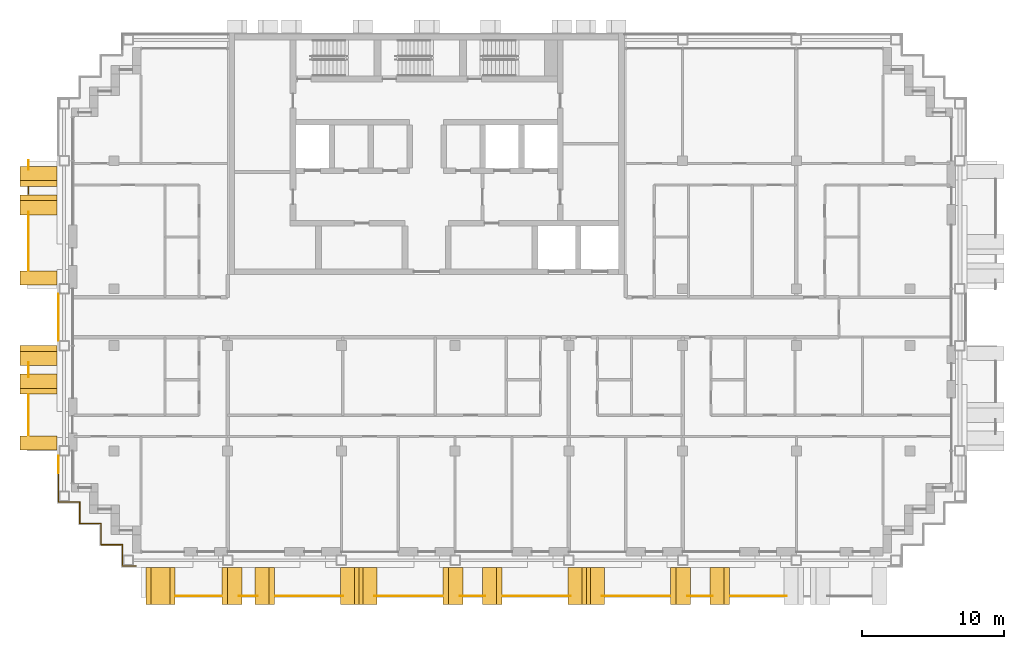
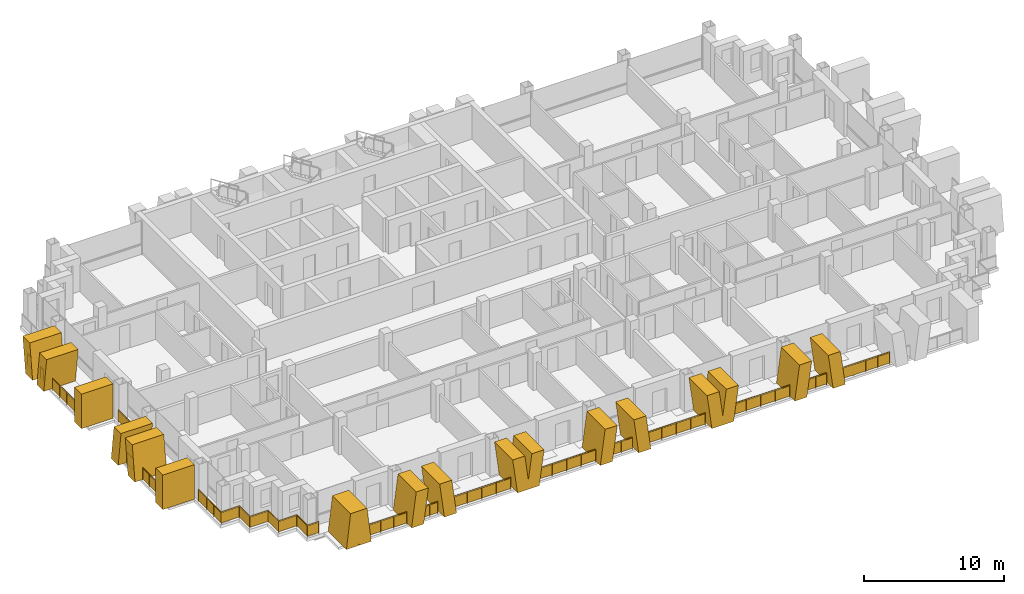
# One storey, part 13 of 16: 17 railings, 15 shading devices.
"""IFC4 building model written with IfcOpenShell, lengths in metres."""

from ifc_helpers import new_model, si_unit, direction, frame, origin, origin_2d, place, context, subcontext, project, spatial, polyline, rectangle, circle, outline, extrude, material, layer, layer_set, type_object, element, save


model = new_model("IFC4")

# Units and contexts
model_context = context("Model", 3, precision=1e-05, world=origin(), true_north=direction((0.0, 1.0)))
body_context = subcontext(model_context, "Body", "Model", "MODEL_VIEW")
ifc_project = project(units=[si_unit("LENGTHUNIT", "METRE"), si_unit("AREAUNIT", "SQUARE_METRE"), si_unit("VOLUMEUNIT", "CUBIC_METRE"), si_unit("PLANEANGLEUNIT", "RADIAN"), si_unit("MASSUNIT", "GRAM", prefix="KILO")], contexts=[model_context])

# Site, building, storey
site_placement = place(None, origin())
site = spatial("IfcSite", under=ifc_project, at=site_placement, CompositionType="ELEMENT")
building_placement = place(site_placement, origin())
building = spatial("IfcBuilding", under=site, at=building_placement, Name="Vidyagriha Tower", CompositionType="ELEMENT")
storey_placement = place(building_placement, frame((0.0, 0.0, 184.5)))
storey = spatial("IfcBuildingStorey", under=building, at=storey_placement, Name="L48", CompositionType="ELEMENT", Elevation=184.5)

# Railings
ifc_material_1 = material(Name="Steel ASTM A500 Grade C black painted", Category="steel")
railing_type_1 = type_object("IfcRailingType", Name="Balcony guard 1100", PredefinedType="BALUSTRADE", material=ifc_material_1)
railing_1_placement = place(storey_placement, frame((-28.0, 11.0, 0.0)))
element("IfcRailing", 1, at=railing_1_placement, inside=storey, type_object=railing_type_1, Name="Balcony guard L48 R16.1-1", PredefinedType="BALUSTRADE", context=body_context, shape_type="SweptSolid", body=[
    extrude(circle(Radius=0.02490234375, at=origin_2d()), frame((0.0, 0.0, 1.0751953125), z_axis=(0.0, -1.0, 0.0), x_axis=(1.0, 0.0, 0.0)), (0.0, 0.0, 1.0), 0.5966796875),
    extrude(circle(Radius=0.02001953125, at=origin_2d()), origin(), (0.0, 0.0, 1.0), 1.050048828125),
    extrude(circle(Radius=0.02001953125, at=origin_2d()), frame((0.0, -0.5966796875, 0.0)), (0.0, 0.0, 1.0), 1.050048828125),
    extrude(rectangle(XDim=0.010009765625, YDim=0.900146484375, at=origin_2d()), frame((0.0, 0.0, 0.550048828125), z_axis=(0.0, -1.0, 0.0), x_axis=(1.0, 0.0, 0.0)), (0.0, 0.0, 1.0), 0.5966796875),
])
railing_2_placement = place(storey_placement, frame((-28.0, 9.14990234375, 0.0)))
element("IfcRailing", 2, at=railing_2_placement, inside=storey, type_object=railing_type_1, Name="Balcony guard L48 R16.1-2", PredefinedType="BALUSTRADE", context=body_context, shape_type="SweptSolid", body=[
    extrude(circle(Radius=0.02490234375, at=origin_2d()), frame((0.0, 0.0, 1.0751953125), z_axis=(0.0, -1.0, 0.0), x_axis=(1.0, 0.0, 0.0)), (0.0, 0.0, 1.0), 0.5),
    extrude(circle(Radius=0.02001953125, at=origin_2d()), origin(), (0.0, 0.0, 1.0), 1.050048828125),
    extrude(circle(Radius=0.02001953125, at=origin_2d()), frame((0.0, -0.5, 0.0)), (0.0, 0.0, 1.0), 1.050048828125),
    extrude(rectangle(XDim=0.010009765625, YDim=0.900146484375, at=origin_2d()), frame((0.0, 0.0, 0.550048828125), z_axis=(0.0, -1.0, 0.0), x_axis=(1.0, 0.0, 0.0)), (0.0, 0.0, 1.0), 0.5),
])
railing_3_placement = place(storey_placement, frame((-28.0, 7.396728515625, 0.0)))
element("IfcRailing", 3, at=railing_3_placement, inside=storey, type_object=railing_type_1, Name="Balcony guard L48 R16.1-3", PredefinedType="BALUSTRADE", context=body_context, shape_type="SweptSolid", body=[
    extrude(circle(Radius=0.02490234375, at=origin_2d()), frame((0.0, 0.0, 1.0751953125), z_axis=(0.0, -1.0, 0.0), x_axis=(1.0, 0.0, 0.0)), (0.0, 0.0, 1.0), 4.0966796875),
    extrude(circle(Radius=0.02001953125, at=origin_2d()), origin(), (0.0, 0.0, 1.0), 1.050048828125),
    extrude(circle(Radius=0.02001953125, at=origin_2d()), frame((0.0, -1.024169921875, 0.0)), (0.0, 0.0, 1.0), 1.050048828125),
    extrude(circle(Radius=0.02001953125, at=origin_2d()), frame((0.0, -2.04833984375, 0.0)), (0.0, 0.0, 1.0), 1.050048828125),
    extrude(circle(Radius=0.02001953125, at=origin_2d()), frame((0.0, -3.072509765625, 0.0)), (0.0, 0.0, 1.0), 1.050048828125),
    extrude(circle(Radius=0.02001953125, at=origin_2d()), frame((0.0, -4.0966796875, 0.0)), (0.0, 0.0, 1.0), 1.050048828125),
    extrude(rectangle(XDim=0.010009765625, YDim=0.900146484375, at=origin_2d()), frame((0.0, 0.0, 0.550048828125), z_axis=(0.0, -1.0, 0.0), x_axis=(1.0, 0.0, 0.0)), (0.0, 0.0, 1.0), 4.0966796875),
])
railing_4_placement = place(storey_placement, frame((-28.0, -3.203369140625, 0.0)))
element("IfcRailing", 4, at=railing_4_placement, inside=storey, type_object=railing_type_1, Name="Balcony guard L48 R16.2-1", PredefinedType="BALUSTRADE", context=body_context, shape_type="SweptSolid", body=[
    extrude(circle(Radius=0.02490234375, at=origin_2d()), frame((0.0, 0.0, 1.0751953125), z_axis=(0.0, -1.0, 0.0), x_axis=(1.0, 0.0, 0.0)), (0.0, 0.0, 1.0), 0.993408203125),
    extrude(circle(Radius=0.02001953125, at=origin_2d()), origin(), (0.0, 0.0, 1.0), 1.050048828125),
    extrude(circle(Radius=0.02001953125, at=origin_2d()), frame((0.0, -0.993408203125, 0.0)), (0.0, 0.0, 1.0), 1.050048828125),
    extrude(rectangle(XDim=0.010009765625, YDim=0.900146484375, at=origin_2d()), frame((0.0, 0.0, 0.550048828125), z_axis=(0.0, -1.0, 0.0), x_axis=(1.0, 0.0, 0.0)), (0.0, 0.0, 1.0), 0.993408203125),
])
railing_5_placement = place(storey_placement, frame((-28.0, -5.449951171875, 0.0)))
element("IfcRailing", 5, at=railing_5_placement, inside=storey, type_object=railing_type_1, Name="Balcony guard L48 R16.2-2", PredefinedType="BALUSTRADE", context=body_context, shape_type="SweptSolid", body=[
    extrude(circle(Radius=0.02490234375, at=origin_2d()), frame((0.0, 0.0, 1.0751953125), z_axis=(0.0, -1.0, 0.0), x_axis=(1.0, 0.0, 0.0)), (0.0, 0.0, 1.0), 2.85009765625),
    extrude(circle(Radius=0.02001953125, at=origin_2d()), origin(), (0.0, 0.0, 1.0), 1.050048828125),
    extrude(circle(Radius=0.02001953125, at=origin_2d()), frame((0.0, -0.949951171875, 0.0)), (0.0, 0.0, 1.0), 1.050048828125),
    extrude(circle(Radius=0.02001953125, at=origin_2d()), frame((0.0, -1.900146484375, 0.0)), (0.0, 0.0, 1.0), 1.050048828125),
    extrude(circle(Radius=0.02001953125, at=origin_2d()), frame((0.0, -2.85009765625, 0.0)), (0.0, 0.0, 1.0), 1.050048828125),
    extrude(rectangle(XDim=0.010009765625, YDim=0.900146484375, at=origin_2d()), frame((0.0, 0.0, 0.550048828125), z_axis=(0.0, -1.0, 0.0), x_axis=(1.0, 0.0, 0.0)), (0.0, 0.0, 1.0), 2.85009765625),
])
railing_6_placement = place(storey_placement, frame((-17.64990234375, -19.60009765625, 0.0)))
element("IfcRailing", 6, at=railing_6_placement, inside=storey, type_object=railing_type_1, Name="Balcony guard L48 R23.1-1", PredefinedType="BALUSTRADE", context=body_context, shape_type="SweptSolid", body=[
    extrude(circle(Radius=0.02490234375, at=origin_2d()), frame((0.0, 0.0, 1.0751953125), z_axis=(1.0, 0.0, 0.0), x_axis=(0.0, 1.0, 0.0)), (0.0, 0.0, 1.0), 3.2109375),
    extrude(circle(Radius=0.02001953125, at=origin_2d()), origin(), (0.0, 0.0, 1.0), 1.050048828125),
    extrude(circle(Radius=0.02001953125, at=origin_2d()), frame((1.0703125, 0.0, 0.0)), (0.0, 0.0, 1.0), 1.050048828125),
    extrude(circle(Radius=0.02001953125, at=origin_2d()), frame((2.140625, 0.0, 0.0)), (0.0, 0.0, 1.0), 1.050048828125),
    extrude(circle(Radius=0.02001953125, at=origin_2d()), frame((3.2109375, 0.0, 0.0)), (0.0, 0.0, 1.0), 1.050048828125),
    extrude(rectangle(XDim=0.010009765625, YDim=0.900146484375, at=origin_2d()), frame((0.0, 0.0, 0.550048828125), z_axis=(1.0, 0.0, 0.0), x_axis=(0.0, 1.0, 0.0)), (0.0, 0.0, 1.0), 3.2109375),
])
railing_7_placement = place(storey_placement, frame((-13.19091796875, -19.60009765625, 0.0)))
element("IfcRailing", 7, at=railing_7_placement, inside=storey, type_object=railing_type_1, Name="Balcony guard L48 R23.1-2", PredefinedType="BALUSTRADE", context=body_context, shape_type="SweptSolid", body=[
    extrude(circle(Radius=0.02490234375, at=origin_2d()), frame((0.0, 0.0, 1.0751953125), z_axis=(1.0, 0.0, 0.0), x_axis=(0.0, 1.0, 0.0)), (0.0, 0.0, 1.0), 1.306884765625),
    extrude(circle(Radius=0.02001953125, at=origin_2d()), origin(), (0.0, 0.0, 1.0), 1.050048828125),
    extrude(circle(Radius=0.02001953125, at=origin_2d()), frame((0.6533203125, 0.0, 0.0)), (0.0, 0.0, 1.0), 1.050048828125),
    extrude(circle(Radius=0.02001953125, at=origin_2d()), frame((1.306884765625, 0.0, 0.0)), (0.0, 0.0, 1.0), 1.050048828125),
    extrude(rectangle(XDim=0.010009765625, YDim=0.900146484375, at=origin_2d()), frame((0.0, 0.0, 0.550048828125), z_axis=(1.0, 0.0, 0.0), x_axis=(0.0, 1.0, 0.0)), (0.0, 0.0, 1.0), 1.306884765625),
])
railing_8_placement = place(storey_placement, frame((-10.635986328125, -19.60009765625, 0.0)))
element("IfcRailing", 8, at=railing_8_placement, inside=storey, type_object=railing_type_1, Name="Balcony guard L48 R23.1-3", PredefinedType="BALUSTRADE", context=body_context, shape_type="SweptSolid", body=[
    extrude(circle(Radius=0.02490234375, at=origin_2d()), frame((0.0, 0.0, 1.0751953125), z_axis=(1.0, 0.0, 0.0), x_axis=(0.0, 1.0, 0.0)), (0.0, 0.0, 1.0), 4.7646484375),
    extrude(circle(Radius=0.02001953125, at=origin_2d()), origin(), (0.0, 0.0, 1.0), 1.050048828125),
    extrude(circle(Radius=0.02001953125, at=origin_2d()), frame((1.191162109375, 0.0, 0.0)), (0.0, 0.0, 1.0), 1.050048828125),
    extrude(circle(Radius=0.02001953125, at=origin_2d()), frame((2.38232421875, 0.0, 0.0)), (0.0, 0.0, 1.0), 1.050048828125),
    extrude(circle(Radius=0.02001953125, at=origin_2d()), frame((3.573486328125, 0.0, 0.0)), (0.0, 0.0, 1.0), 1.050048828125),
    extrude(circle(Radius=0.02001953125, at=origin_2d()), frame((4.7646484375, 0.0, 0.0)), (0.0, 0.0, 1.0), 1.050048828125),
    extrude(rectangle(XDim=0.010009765625, YDim=0.900146484375, at=origin_2d()), frame((0.0, 0.0, 0.550048828125), z_axis=(1.0, 0.0, 0.0), x_axis=(0.0, 1.0, 0.0)), (0.0, 0.0, 1.0), 4.7646484375),
])
railing_9_placement = place(storey_placement, frame((-3.678466796875, -19.60009765625, 0.0)))
element("IfcRailing", 9, at=railing_9_placement, inside=storey, type_object=railing_type_1, Name="Balcony guard L48 R23.1-4", PredefinedType="BALUSTRADE", context=body_context, shape_type="SweptSolid", body=[
    extrude(circle(Radius=0.02490234375, at=origin_2d()), frame((0.0, 0.0, 1.0751953125), z_axis=(1.0, 0.0, 0.0), x_axis=(0.0, 1.0, 0.0)), (0.0, 0.0, 1.0), 4.7734375),
    extrude(circle(Radius=0.02001953125, at=origin_2d()), origin(), (0.0, 0.0, 1.0), 1.050048828125),
    extrude(circle(Radius=0.02001953125, at=origin_2d()), frame((1.193359375, 0.0, 0.0)), (0.0, 0.0, 1.0), 1.050048828125),
    extrude(circle(Radius=0.02001953125, at=origin_2d()), frame((2.38671875, 0.0, 0.0)), (0.0, 0.0, 1.0), 1.050048828125),
    extrude(circle(Radius=0.02001953125, at=origin_2d()), frame((3.580078125, 0.0, 0.0)), (0.0, 0.0, 1.0), 1.050048828125),
    extrude(circle(Radius=0.02001953125, at=origin_2d()), frame((4.7734375, 0.0, 0.0)), (0.0, 0.0, 1.0), 1.050048828125),
    extrude(rectangle(XDim=0.010009765625, YDim=0.900146484375, at=origin_2d()), frame((0.0, 0.0, 0.550048828125), z_axis=(1.0, 0.0, 0.0), x_axis=(0.0, 1.0, 0.0)), (0.0, 0.0, 1.0), 4.7734375),
])
railing_10_placement = place(storey_placement, frame((2.346435546875, -19.60009765625, 0.0)))
element("IfcRailing", 10, at=railing_10_placement, inside=storey, type_object=railing_type_1, Name="Balcony guard L48 R23.1-5", PredefinedType="BALUSTRADE", context=body_context, shape_type="SweptSolid", body=[
    extrude(circle(Radius=0.02490234375, at=origin_2d()), frame((0.0, 0.0, 1.0751953125), z_axis=(1.0, 0.0, 0.0), x_axis=(0.0, 1.0, 0.0)), (0.0, 0.0, 1.0), 1.757080078125),
    extrude(circle(Radius=0.02001953125, at=origin_2d()), origin(), (0.0, 0.0, 1.0), 1.050048828125),
    extrude(circle(Radius=0.02001953125, at=origin_2d()), frame((0.87841796875, 0.0, 0.0)), (0.0, 0.0, 1.0), 1.050048828125),
    extrude(circle(Radius=0.02001953125, at=origin_2d()), frame((1.757080078125, 0.0, 0.0)), (0.0, 0.0, 1.0), 1.050048828125),
    extrude(rectangle(XDim=0.010009765625, YDim=0.900146484375, at=origin_2d()), frame((0.0, 0.0, 0.550048828125), z_axis=(1.0, 0.0, 0.0), x_axis=(0.0, 1.0, 0.0)), (0.0, 0.0, 1.0), 1.757080078125),
])
railing_11_placement = place(storey_placement, frame((5.35498046875, -19.60009765625, 0.0)))
element("IfcRailing", 11, at=railing_11_placement, inside=storey, type_object=railing_type_1, Name="Balcony guard L48 R23.1-6", PredefinedType="BALUSTRADE", context=body_context, shape_type="SweptSolid", body=[
    extrude(circle(Radius=0.02490234375, at=origin_2d()), frame((0.0, 0.0, 1.0751953125), z_axis=(1.0, 0.0, 0.0), x_axis=(0.0, 1.0, 0.0)), (0.0, 0.0, 1.0), 4.773681640625),
    extrude(circle(Radius=0.02001953125, at=origin_2d()), origin(), (0.0, 0.0, 1.0), 1.050048828125),
    extrude(circle(Radius=0.02001953125, at=origin_2d()), frame((1.193359375, 0.0, 0.0)), (0.0, 0.0, 1.0), 1.050048828125),
    extrude(circle(Radius=0.02001953125, at=origin_2d()), frame((2.38671875, 0.0, 0.0)), (0.0, 0.0, 1.0), 1.050048828125),
    extrude(circle(Radius=0.02001953125, at=origin_2d()), frame((3.580322265625, 0.0, 0.0)), (0.0, 0.0, 1.0), 1.050048828125),
    extrude(circle(Radius=0.02001953125, at=origin_2d()), frame((4.773681640625, 0.0, 0.0)), (0.0, 0.0, 1.0), 1.050048828125),
    extrude(rectangle(XDim=0.010009765625, YDim=0.900146484375, at=origin_2d()), frame((0.0, 0.0, 0.550048828125), z_axis=(1.0, 0.0, 0.0), x_axis=(0.0, 1.0, 0.0)), (0.0, 0.0, 1.0), 4.773681640625),
])
railing_12_placement = place(storey_placement, frame((12.321533203125, -19.60009765625, 0.0)))
element("IfcRailing", 12, at=railing_12_placement, inside=storey, type_object=railing_type_1, Name="Balcony guard L48 R23.1-7", PredefinedType="BALUSTRADE", context=body_context, shape_type="SweptSolid", body=[
    extrude(circle(Radius=0.02490234375, at=origin_2d()), frame((0.0, 0.0, 1.0751953125), z_axis=(1.0, 0.0, 0.0), x_axis=(0.0, 1.0, 0.0)), (0.0, 0.0, 1.0), 4.7734375),
    extrude(circle(Radius=0.02001953125, at=origin_2d()), origin(), (0.0, 0.0, 1.0), 1.050048828125),
    extrude(circle(Radius=0.02001953125, at=origin_2d()), frame((1.193359375, 0.0, 0.0)), (0.0, 0.0, 1.0), 1.050048828125),
    extrude(circle(Radius=0.02001953125, at=origin_2d()), frame((2.38671875, 0.0, 0.0)), (0.0, 0.0, 1.0), 1.050048828125),
    extrude(circle(Radius=0.02001953125, at=origin_2d()), frame((3.580078125, 0.0, 0.0)), (0.0, 0.0, 1.0), 1.050048828125),
    extrude(circle(Radius=0.02001953125, at=origin_2d()), frame((4.7734375, 0.0, 0.0)), (0.0, 0.0, 1.0), 1.050048828125),
    extrude(rectangle(XDim=0.010009765625, YDim=0.900146484375, at=origin_2d()), frame((0.0, 0.0, 0.550048828125), z_axis=(1.0, 0.0, 0.0), x_axis=(0.0, 1.0, 0.0)), (0.0, 0.0, 1.0), 4.7734375),
])
railing_13_placement = place(storey_placement, frame((18.346435546875, -19.60009765625, 0.0)))
element("IfcRailing", 13, at=railing_13_placement, inside=storey, type_object=railing_type_1, Name="Balcony guard L48 R23.1-8", PredefinedType="BALUSTRADE", context=body_context, shape_type="SweptSolid", body=[
    extrude(circle(Radius=0.02490234375, at=origin_2d()), frame((0.0, 0.0, 1.0751953125), z_axis=(1.0, 0.0, 0.0), x_axis=(0.0, 1.0, 0.0)), (0.0, 0.0, 1.0), 1.757080078125),
    extrude(circle(Radius=0.02001953125, at=origin_2d()), origin(), (0.0, 0.0, 1.0), 1.050048828125),
    extrude(circle(Radius=0.02001953125, at=origin_2d()), frame((0.87841796875, 0.0, 0.0)), (0.0, 0.0, 1.0), 1.050048828125),
    extrude(circle(Radius=0.02001953125, at=origin_2d()), frame((1.757080078125, 0.0, 0.0)), (0.0, 0.0, 1.0), 1.050048828125),
    extrude(rectangle(XDim=0.010009765625, YDim=0.900146484375, at=origin_2d()), frame((0.0, 0.0, 0.550048828125), z_axis=(1.0, 0.0, 0.0), x_axis=(0.0, 1.0, 0.0)), (0.0, 0.0, 1.0), 1.757080078125),
])
railing_14_placement = place(storey_placement, frame((21.35498046875, -19.60009765625, 0.0)))
element("IfcRailing", 14, at=railing_14_placement, inside=storey, type_object=railing_type_1, Name="Balcony guard L48 R23.1-9", PredefinedType="BALUSTRADE", context=body_context, shape_type="SweptSolid", body=[
    extrude(circle(Radius=0.02490234375, at=origin_2d()), frame((0.0, 0.0, 1.0751953125), z_axis=(1.0, 0.0, 0.0), x_axis=(0.0, 1.0, 0.0)), (0.0, 0.0, 1.0), 3.951171875),
    extrude(circle(Radius=0.02001953125, at=origin_2d()), origin(), (0.0, 0.0, 1.0), 1.050048828125),
    extrude(circle(Radius=0.02001953125, at=origin_2d()), frame((0.98779296875, 0.0, 0.0)), (0.0, 0.0, 1.0), 1.050048828125),
    extrude(circle(Radius=0.02001953125, at=origin_2d()), frame((1.9755859375, 0.0, 0.0)), (0.0, 0.0, 1.0), 1.050048828125),
    extrude(circle(Radius=0.02001953125, at=origin_2d()), frame((2.96337890625, 0.0, 0.0)), (0.0, 0.0, 1.0), 1.050048828125),
    extrude(circle(Radius=0.02001953125, at=origin_2d()), frame((3.951171875, 0.0, 0.0)), (0.0, 0.0, 1.0), 1.050048828125),
    extrude(rectangle(XDim=0.010009765625, YDim=0.900146484375, at=origin_2d()), frame((0.0, 0.0, 0.550048828125), z_axis=(1.0, 0.0, 0.0), x_axis=(0.0, 1.0, 0.0)), (0.0, 0.0, 1.0), 3.951171875),
])

# Shading devices
ifc_material_2 = material(Name="Precast concrete C40/50 with buff brick facing", Category="concrete")
ifc_layer_1 = layer(ifc_material_2, 1.0)
ifc_layer_set_1 = layer_set([ifc_layer_1], Name="Precast concrete C40/50 with buff brick facing")
shading_device_type_1 = type_object("IfcShadingDeviceType", Name="Brick-faced blade fin arm leaning 8 degrees", PredefinedType="USERDEFINED", material=ifc_layer_set_1)
shading_device_1_placement = place(storey_placement, frame((-27.300048828125, 8.60009765625, 0.0), z_axis=(0.0, 0.0, 1.0), x_axis=(0.0, -1.0, 0.0)))
element("IfcShadingDevice", 15, at=shading_device_1_placement, inside=storey, type_object=shading_device_type_1, Name="Leaning blade fin L48 R16.310a", ObjectType="BLADE FIN", PredefinedType="USERDEFINED", context=body_context, shape_type="SweptSolid", body=[
    extrude(outline(polyline([(0.0, 0.0), (1.0, 0.0), (1.39990234375, 3.0), (0.39990234375, 3.0), (0.0, 0.0)])), frame((0.0, 1.300048828125, 0.0), z_axis=(0.0, -1.0, 0.0), x_axis=(1.0, 0.0, 0.0)), (0.0, 0.0, 1.0), 2.60009765625),
])
for number, where, z_axis, x_axis, name in (
    (16, (-27.300048828125, 10.60009765625, 0.0), (0.0, 0.0, 1.0), (0.0, -1.0, 0.0), "Leaning blade fin L48 R16.310b"),
    (17, (-27.300048828125, -4.0, 0.0), (0.0, 0.0, 1.0), (0.0, -1.0, 0.0), "Leaning blade fin L48 R16.1610a"),
):
    element("IfcShadingDevice", number, at=place(storey_placement, frame(where, z_axis=z_axis, x_axis=x_axis)), inside=storey, type_object=shading_device_type_1, Name=name, ObjectType="BLADE FIN", PredefinedType="USERDEFINED", context=body_context, shape_type="SweptSolid", body=[
        extrude(outline(polyline([(0.39990234375, 0.0), (1.39990234375, 0.0), (1.0, 3.0), (0.0, 3.0), (0.39990234375, 0.0)])), frame((0.0, 1.300048828125, 0.0), z_axis=(0.0, -1.0, 0.0), x_axis=(1.0, 0.0, 0.0)), (0.0, 0.0, 1.0), 2.60009765625),
    ])
shading_device_2_placement = place(storey_placement, frame((-27.300048828125, -2.0, 0.0), z_axis=(0.0, 0.0, 1.0), x_axis=(0.0, -1.0, 0.0)))
element("IfcShadingDevice", 18, at=shading_device_2_placement, inside=storey, type_object=shading_device_type_1, Name="Leaning blade fin L48 R16.1610b", ObjectType="BLADE FIN", PredefinedType="USERDEFINED", context=body_context, shape_type="SweptSolid", body=[
    extrude(outline(polyline([(0.0, 0.0), (1.0, 0.0), (1.39990234375, 3.0), (0.39990234375, 3.0), (0.0, 0.0)])), frame((0.0, 1.300048828125, 0.0), z_axis=(0.0, -1.0, 0.0), x_axis=(1.0, 0.0, 0.0)), (0.0, 0.0, 1.0), 2.60009765625),
])
shading_device_3_placement = place(storey_placement, frame((-12.072265625, -18.89990234375, 0.0)))
element("IfcShadingDevice", 19, at=shading_device_3_placement, inside=storey, type_object=shading_device_type_1, Name="Leaning blade fin L48 R23.610a", ObjectType="BLADE FIN", PredefinedType="USERDEFINED", context=body_context, shape_type="SweptSolid", body=[
    extrude(outline(polyline([(0.385986328125, 0.0), (1.385986328125, 0.0), (1.0, 3.0), (0.0, 3.0), (0.385986328125, 0.0)])), frame((0.0, 1.300048828125, 0.0), z_axis=(0.0, -1.0, 0.0), x_axis=(1.0, 0.0, 0.0)), (0.0, 0.0, 1.0), 2.60009765625),
])
shading_device_4_placement = place(storey_placement, frame((-14.388916015625, -18.89990234375, 0.0)))
element("IfcShadingDevice", 20, at=shading_device_4_placement, inside=storey, type_object=shading_device_type_1, Name="Leaning blade fin L48 R23.610b", ObjectType="BLADE FIN", PredefinedType="USERDEFINED", context=body_context, shape_type="SweptSolid", body=[
    extrude(outline(polyline([(0.0, 0.0), (1.0, 0.0), (1.385986328125, 3.0), (0.385986328125, 3.0), (0.0, 0.0)])), frame((0.0, 1.300048828125, 0.0), z_axis=(0.0, -1.0, 0.0), x_axis=(1.0, 0.0, 0.0)), (0.0, 0.0, 1.0), 2.60009765625),
])
shading_device_5_placement = place(storey_placement, frame((3.909912109375, -18.89990234375, 0.0)))
element("IfcShadingDevice", 21, at=shading_device_5_placement, inside=storey, type_object=shading_device_type_1, Name="Leaning blade fin L48 R23.2210a", ObjectType="BLADE FIN", PredefinedType="USERDEFINED", context=body_context, shape_type="SweptSolid", body=[
    extrude(outline(polyline([(0.39501953125, 0.0), (1.39501953125, 0.0), (1.0, 3.0), (0.0, 3.0), (0.39501953125, 0.0)])), frame((0.0, 1.300048828125, 0.0), z_axis=(0.0, -1.0, 0.0), x_axis=(1.0, 0.0, 0.0)), (0.0, 0.0, 1.0), 2.60009765625),
])
shading_device_6_placement = place(storey_placement, frame((1.14501953125, -18.89990234375, 0.0)))
element("IfcShadingDevice", 22, at=shading_device_6_placement, inside=storey, type_object=shading_device_type_1, Name="Leaning blade fin L48 R23.2210b", ObjectType="BLADE FIN", PredefinedType="USERDEFINED", context=body_context, shape_type="SweptSolid", body=[
    extrude(outline(polyline([(0.0, 0.0), (1.0, 0.0), (1.39501953125, 3.0), (0.39501953125, 3.0), (0.0, 0.0)])), frame((0.0, 1.300048828125, 0.0), z_axis=(0.0, -1.0, 0.0), x_axis=(1.0, 0.0, 0.0)), (0.0, 0.0, 1.0), 2.60009765625),
])
shading_device_7_placement = place(storey_placement, frame((19.909912109375, -18.89990234375, 0.0)))
element("IfcShadingDevice", 23, at=shading_device_7_placement, inside=storey, type_object=shading_device_type_1, Name="Leaning blade fin L48 R23.3810a", ObjectType="BLADE FIN", PredefinedType="USERDEFINED", context=body_context, shape_type="SweptSolid", body=[
    extrude(outline(polyline([(0.39501953125, 0.0), (1.39501953125, 0.0), (1.0, 3.0), (0.0, 3.0), (0.39501953125, 0.0)])), frame((0.0, 1.300048828125, 0.0), z_axis=(0.0, -1.0, 0.0), x_axis=(1.0, 0.0, 0.0)), (0.0, 0.0, 1.0), 2.60009765625),
])
shading_device_8_placement = place(storey_placement, frame((17.14501953125, -18.89990234375, 0.0)))
element("IfcShadingDevice", 24, at=shading_device_8_placement, inside=storey, type_object=shading_device_type_1, Name="Leaning blade fin L48 R23.3810b", ObjectType="BLADE FIN", PredefinedType="USERDEFINED", context=body_context, shape_type="SweptSolid", body=[
    extrude(outline(polyline([(0.0, 0.0), (1.0, 0.0), (1.39501953125, 3.0), (0.39501953125, 3.0), (0.0, 0.0)])), frame((0.0, 1.300048828125, 0.0), z_axis=(0.0, -1.0, 0.0), x_axis=(1.0, 0.0, 0.0)), (0.0, 0.0, 1.0), 2.60009765625),
])
ifc_material_3 = material(Name="Precast concrete C40/50 with buff brick facing", Category="concrete")
ifc_layer_2 = layer(ifc_material_3, 1.0)
ifc_layer_set_2 = layer_set([ifc_layer_2], Name="Precast concrete C40/50 with buff brick facing")
shading_device_type_2 = type_object("IfcShadingDeviceType", Name="Brick-faced blade fin forking 8 degrees", PredefinedType="USERDEFINED", material=ifc_layer_set_2)
shading_device_9_placement = place(storey_placement, frame((-19.75, -18.89990234375, 0.0)))
element("IfcShadingDevice", 25, at=shading_device_9_placement, inside=storey, type_object=shading_device_type_2, Name="Forked blade fin L48 R23.0a", ObjectType="BLADE FIN", PredefinedType="USERDEFINED", context=body_context, shape_type="SweptSolid", body=[
    extrude(outline(polyline([(1.0, 0.0), (1.02490234375, 0.21435546875), (1.050048828125, 0.0), (2.050048828125, 0.0), (1.699951171875, 3.0), (0.35009765625, 3.0), (0.0, 0.0), (1.0, 0.0)])), frame((0.0, 1.300048828125, 0.0), z_axis=(0.0, -1.0, 0.0), x_axis=(1.0, 0.0, 0.0)), (0.0, 0.0, 1.0), 2.60009765625),
])
for number, where, name in (
    (26, (-6.06494140625, -18.89990234375, 0.0), "Forked blade fin L48 R23.1410a"),
    (27, (9.93505859375, -18.89990234375, 0.0), "Forked blade fin L48 R23.3010a"),
):
    element("IfcShadingDevice", number, at=place(storey_placement, frame(where)), inside=storey, type_object=shading_device_type_2, Name=name, ObjectType="BLADE FIN", PredefinedType="USERDEFINED", context=body_context, shape_type="SweptSolid", body=[
        extrude(outline(polyline([(0.39501953125, 0.0), (2.18505859375, 0.0), (2.580078125, 3.0), (1.580078125, 3.0), (1.2900390625, 0.797607421875), (1.0, 3.0), (0.0, 3.0), (0.39501953125, 0.0)])), frame((0.0, 1.300048828125, 0.0), z_axis=(0.0, -1.0, 0.0), x_axis=(1.0, 0.0, 0.0)), (0.0, 0.0, 1.0), 2.60009765625),
    ])
ifc_material_4 = material(Name="Precast concrete C40/50 with buff brick facing", Category="concrete")
ifc_layer_3 = layer(ifc_material_4, 1.0)
ifc_layer_set_3 = layer_set([ifc_layer_3], Name="Precast concrete C40/50 with buff brick facing")
shading_device_type_3 = type_object("IfcShadingDeviceType", Name="Brick-faced blade fin stem 1000", PredefinedType="USERDEFINED", material=ifc_layer_set_3)
for number, where, z_axis, x_axis, name in (
    (28, (-27.300048828125, 3.25, 0.0), (0.0, 0.0, 1.0), (0.0, -1.0, 0.0), "Stem blade fin L48 R16.1210a"),
    (29, (-27.300048828125, -8.35009765625, 0.0), (0.0, 0.0, 1.0), (0.0, -1.0, 0.0), "Stem blade fin L48 R16.2350a"),
):
    element("IfcShadingDevice", number, at=place(storey_placement, frame(where, z_axis=z_axis, x_axis=x_axis)), inside=storey, type_object=shading_device_type_3, Name=name, ObjectType="BLADE FIN", PredefinedType="USERDEFINED", context=body_context, shape_type="SweptSolid", body=[
        extrude(outline(polyline([(0.0, 0.0), (1.0, 0.0), (1.0, 3.0), (0.0, 3.0), (0.0, 0.0)])), frame((0.0, 1.300048828125, 0.0), z_axis=(0.0, -1.0, 0.0), x_axis=(1.0, 0.0, 0.0)), (0.0, 0.0, 1.0), 2.60009765625),
    ])

# Railings
ifc_material_5 = material(Name="Steel ASTM A500 Grade C black painted", Category="steel")
railing_type_2 = type_object("IfcRailingType", Name="Gallery guard 1100", PredefinedType="GUARDRAIL", material=ifc_material_5)
railing_15_placement = place(storey_placement, frame((-20.4599609375, -17.5, 0.0)))
element("IfcRailing", 30, at=railing_15_placement, inside=storey, type_object=railing_type_2, Name="Gallery guard L48 1", PredefinedType="GUARDRAIL", context=body_context, shape_type="SweptSolid", body=[
    extrude(circle(Radius=0.02490234375, at=origin_2d()), frame((0.0, 0.0, 1.0751953125), z_axis=(-1.0, 0.0, 0.0), x_axis=(0.0, -1.0, 0.0)), (0.0, 0.0, 1.0), 0.93994140625),
    extrude(circle(Radius=0.02490234375, at=origin_2d()), frame((-0.93994140625, 0.0, 1.0751953125), z_axis=(0.0, 1.0, 0.0), x_axis=(-1.0, 0.0, 0.0)), (0.0, 0.0, 1.0), 1.5),
    extrude(circle(Radius=0.02490234375, at=origin_2d()), frame((-0.93994140625, 1.5, 1.0751953125), z_axis=(-1.0, 0.0, 0.0), x_axis=(0.0, -1.0, 0.0)), (0.0, 0.0, 1.0), 1.5),
    extrude(circle(Radius=0.02490234375, at=origin_2d()), frame((-2.43994140625, 1.5, 1.0751953125), z_axis=(0.0, 1.0, 0.0), x_axis=(-1.0, 0.0, 0.0)), (0.0, 0.0, 1.0), 1.5),
    extrude(circle(Radius=0.02490234375, at=origin_2d()), frame((-2.43994140625, 3.0, 1.0751953125), z_axis=(-1.0, 0.0, 0.0), x_axis=(0.0, -1.0, 0.0)), (0.0, 0.0, 1.0), 1.5),
    extrude(circle(Radius=0.02490234375, at=origin_2d()), frame((-3.93994140625, 3.0, 1.0751953125), z_axis=(0.0, 1.0, 0.0), x_axis=(-1.0, 0.0, 0.0)), (0.0, 0.0, 1.0), 1.5),
    extrude(circle(Radius=0.02490234375, at=origin_2d()), frame((-3.93994140625, 4.5, 1.0751953125), z_axis=(-1.0, 0.0, 0.0), x_axis=(0.0, -1.0, 0.0)), (0.0, 0.0, 1.0), 1.5),
    extrude(circle(Radius=0.02490234375, at=origin_2d()), frame((-5.43994140625, 4.5, 1.0751953125), z_axis=(0.0, 1.0, 0.0), x_axis=(-1.0, 0.0, 0.0)), (0.0, 0.0, 1.0), 2.06005859375),
    extrude(circle(Radius=0.02001953125, at=origin_2d()), origin(), (0.0, 0.0, 1.0), 1.050048828125),
    extrude(circle(Radius=0.02001953125, at=origin_2d()), frame((-0.93994140625, 0.0, 0.0)), (0.0, 0.0, 1.0), 1.050048828125),
    extrude(circle(Radius=0.02001953125, at=origin_2d()), frame((-0.93994140625, 1.5, 0.0)), (0.0, 0.0, 1.0), 1.050048828125),
    extrude(circle(Radius=0.02001953125, at=origin_2d()), frame((-2.43994140625, 1.5, 0.0)), (0.0, 0.0, 1.0), 1.050048828125),
    extrude(circle(Radius=0.02001953125, at=origin_2d()), frame((-2.43994140625, 3.0, 0.0)), (0.0, 0.0, 1.0), 1.050048828125),
    extrude(circle(Radius=0.02001953125, at=origin_2d()), frame((-3.93994140625, 3.0, 0.0)), (0.0, 0.0, 1.0), 1.050048828125),
    extrude(circle(Radius=0.02001953125, at=origin_2d()), frame((-3.93994140625, 4.5, 0.0)), (0.0, 0.0, 1.0), 1.050048828125),
    extrude(circle(Radius=0.02001953125, at=origin_2d()), frame((-5.43994140625, 4.5, 0.0)), (0.0, 0.0, 1.0), 1.050048828125),
    extrude(circle(Radius=0.02001953125, at=origin_2d()), frame((-5.43994140625, 5.530029296875, 0.0)), (0.0, 0.0, 1.0), 1.050048828125),
    extrude(circle(Radius=0.02001953125, at=origin_2d()), frame((-5.43994140625, 6.56005859375, 0.0)), (0.0, 0.0, 1.0), 1.050048828125),
    extrude(rectangle(XDim=0.010009765625, YDim=0.900146484375, at=origin_2d()), frame((0.0, 0.0, 0.550048828125), z_axis=(-1.0, 0.0, 0.0), x_axis=(0.0, -1.0, 0.0)), (0.0, 0.0, 1.0), 0.93994140625),
    extrude(rectangle(XDim=0.010009765625, YDim=0.900146484375, at=origin_2d()), frame((-0.93994140625, 0.0, 0.550048828125), z_axis=(0.0, 1.0, 0.0), x_axis=(-1.0, 0.0, 0.0)), (0.0, 0.0, 1.0), 1.5),
    extrude(rectangle(XDim=0.010009765625, YDim=0.900146484375, at=origin_2d()), frame((-0.93994140625, 1.5, 0.550048828125), z_axis=(-1.0, 0.0, 0.0), x_axis=(0.0, -1.0, 0.0)), (0.0, 0.0, 1.0), 1.5),
    extrude(rectangle(XDim=0.010009765625, YDim=0.900146484375, at=origin_2d()), frame((-2.43994140625, 1.5, 0.550048828125), z_axis=(0.0, 1.0, 0.0), x_axis=(-1.0, 0.0, 0.0)), (0.0, 0.0, 1.0), 1.5),
    extrude(rectangle(XDim=0.010009765625, YDim=0.900146484375, at=origin_2d()), frame((-2.43994140625, 3.0, 0.550048828125), z_axis=(-1.0, 0.0, 0.0), x_axis=(0.0, -1.0, 0.0)), (0.0, 0.0, 1.0), 1.5),
    extrude(rectangle(XDim=0.010009765625, YDim=0.900146484375, at=origin_2d()), frame((-3.93994140625, 3.0, 0.550048828125), z_axis=(0.0, 1.0, 0.0), x_axis=(-1.0, 0.0, 0.0)), (0.0, 0.0, 1.0), 1.5),
    extrude(rectangle(XDim=0.010009765625, YDim=0.900146484375, at=origin_2d()), frame((-3.93994140625, 4.5, 0.550048828125), z_axis=(-1.0, 0.0, 0.0), x_axis=(0.0, -1.0, 0.0)), (0.0, 0.0, 1.0), 1.5),
    extrude(rectangle(XDim=0.010009765625, YDim=0.900146484375, at=origin_2d()), frame((-5.43994140625, 4.5, 0.550048828125), z_axis=(0.0, 1.0, 0.0), x_axis=(-1.0, 0.0, 0.0)), (0.0, 0.0, 1.0), 2.06005859375),
])
railing_16_placement = place(storey_placement, frame((-25.89990234375, -10.93994140625, 0.0)))
element("IfcRailing", 31, at=railing_16_placement, inside=storey, type_object=railing_type_2, Name="Gallery guard L48 2", PredefinedType="GUARDRAIL", context=body_context, shape_type="SweptSolid", body=[
    extrude(circle(Radius=0.02490234375, at=origin_2d()), frame((0.0, 0.0, 1.0751953125), z_axis=(0.0, 1.0, 0.0), x_axis=(-1.0, 0.0, 0.0)), (0.0, 0.0, 1.0), 1.179931640625),
    extrude(circle(Radius=0.02001953125, at=origin_2d()), origin(), (0.0, 0.0, 1.0), 1.050048828125),
    extrude(circle(Radius=0.02001953125, at=origin_2d()), frame((0.0, 1.179931640625, 0.0)), (0.0, 0.0, 1.0), 1.050048828125),
    extrude(rectangle(XDim=0.010009765625, YDim=0.900146484375, at=origin_2d()), frame((0.0, 0.0, 0.550048828125), z_axis=(0.0, 1.0, 0.0), x_axis=(-1.0, 0.0, 0.0)), (0.0, 0.0, 1.0), 1.179931640625),
])
railing_17_placement = place(storey_placement, frame((-25.89990234375, -1.639892578125, 0.0)))
element("IfcRailing", 32, at=railing_17_placement, inside=storey, type_object=railing_type_2, Name="Gallery guard L48 3", PredefinedType="GUARDRAIL", context=body_context, shape_type="SweptSolid", body=[
    extrude(circle(Radius=0.02490234375, at=origin_2d()), frame((0.0, 0.0, 1.0751953125), z_axis=(0.0, 1.0, 0.0), x_axis=(-1.0, 0.0, 0.0)), (0.0, 0.0, 1.0), 3.27978515625),
    extrude(circle(Radius=0.02001953125, at=origin_2d()), origin(), (0.0, 0.0, 1.0), 1.050048828125),
    extrude(circle(Radius=0.02001953125, at=origin_2d()), frame((0.0, 1.09326171875, 0.0)), (0.0, 0.0, 1.0), 1.050048828125),
    extrude(circle(Radius=0.02001953125, at=origin_2d()), frame((0.0, 2.1865234375, 0.0)), (0.0, 0.0, 1.0), 1.050048828125),
    extrude(circle(Radius=0.02001953125, at=origin_2d()), frame((0.0, 3.27978515625, 0.0)), (0.0, 0.0, 1.0), 1.050048828125),
    extrude(rectangle(XDim=0.010009765625, YDim=0.900146484375, at=origin_2d()), frame((0.0, 0.0, 0.550048828125), z_axis=(0.0, 1.0, 0.0), x_axis=(-1.0, 0.0, 0.0)), (0.0, 0.0, 1.0), 3.27978515625),
])

save(model, "model.ifc")
